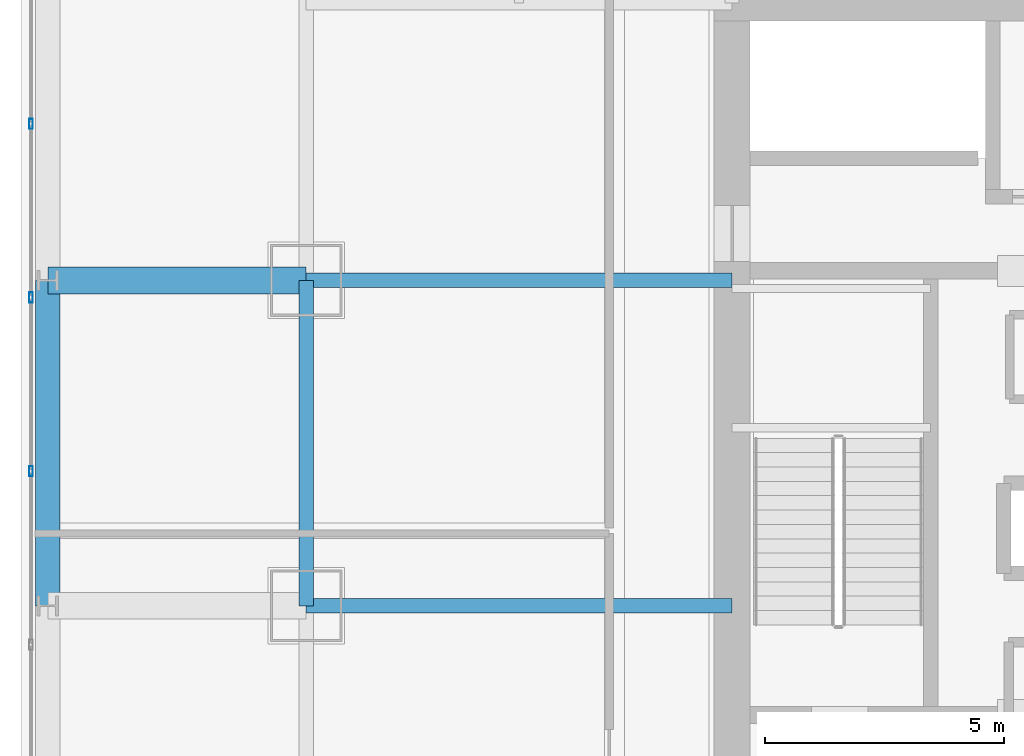
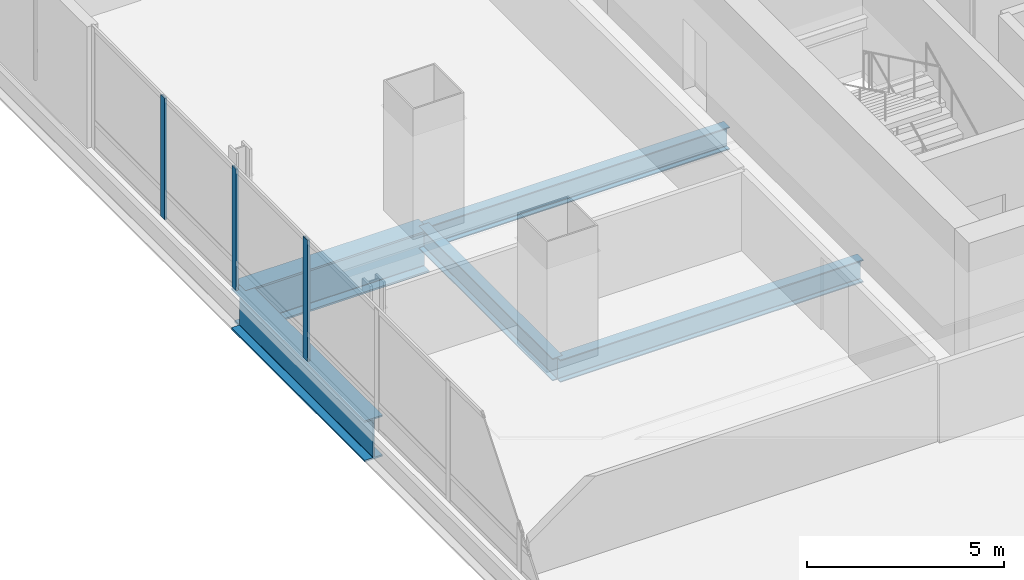
# One storey, part 10 of 45: 5 beams, 3 members, 1 element without a shape of its own.
"""IFC4 building model written with IfcOpenShell, lengths in metres."""

from ifc_helpers import new_model, si_unit, direction, frame, origin, origin_2d, place, context, subcontext, project, spatial, hollow_rectangle, i_section, extrude, material, material_profile, profile_set, type_object, element, aggregate, save


model = new_model("IFC4")

# Units and contexts
model_context = context("Model", 3, precision=1e-05, world=origin(), true_north=direction((0.0, 1.0)))
body_context = subcontext(model_context, "Body", "Model", "MODEL_VIEW")
ifc_project = project(units=[si_unit("LENGTHUNIT", "METRE"), si_unit("AREAUNIT", "SQUARE_METRE"), si_unit("VOLUMEUNIT", "CUBIC_METRE"), si_unit("PLANEANGLEUNIT", "RADIAN"), si_unit("MASSUNIT", "GRAM", prefix="KILO")], contexts=[model_context])

# Site, building, storey
site_placement = place(None, origin())
site = spatial("IfcSite", under=ifc_project, at=site_placement, CompositionType="ELEMENT")
building_placement = place(site_placement, origin())
building = spatial("IfcBuilding", under=site, at=building_placement, Name="Punatoya Terracotta Tower", CompositionType="ELEMENT")
storey_placement = place(building_placement, frame((0.0, 0.0, 56.550048828125)))
storey = spatial("IfcBuildingStorey", under=building, at=storey_placement, Name="L12", CompositionType="ELEMENT", Elevation=56.550048828125)

# Beams
ifc_material_1 = material(Name="Steel S355", Category="steel")
ifc_material_profile_1 = material_profile(ifc_material_1, i_section(OverallWidth=0.300048828125, OverallDepth=0.699951171875, WebThickness=0.01708984375, FlangeThickness=0.031982421875, FilletRadius=0.01806640625, at=origin_2d()))
ifc_profile_set_1 = profile_set([ifc_material_profile_1], Name="Steel S355")
beam_type_1 = type_object("IfcBeamType", Name="BM-PRI-700", PredefinedType="BEAM", material=ifc_profile_set_1)
beam_1_placement = place(storey_placement, frame((-19.10009765625, -3.39990234375, -0.590087890625), z_axis=(0.0, 1.0, 0.0), x_axis=(-1.0, 0.0, 0.0)))
element("IfcBeam", 1, at=beam_1_placement, inside=storey, type_object=beam_type_1, Name="BM-L12-RG-W2", PredefinedType="BEAM", context=body_context, shape_type="SweptSolid", body=[
    extrude(i_section(OverallWidth=0.300048828125, OverallDepth=0.699951171875, WebThickness=0.01708984375, FlangeThickness=0.031982421875, FilletRadius=0.01806640625, at=origin_2d()), origin(), (0.0, 0.0, 1.0), 6.7998046875),
])
for number, where, z_axis, x_axis, name in (
    (2, (-19.10009765625, -3.39990234375, -0.590087890625), (1.0, 0.0, 0.0), (0.0, 1.0, 0.0), "BM-L12-PR-WD"),
    (3, (-19.10009765625, 3.39990234375, -0.590087890625), (1.0, 0.0, 0.0), (0.0, 1.0, 0.0), "BM-L12-PR-WE"),
):
    element("IfcBeam", number, at=place(storey_placement, frame(where, z_axis=z_axis, x_axis=x_axis)), inside=storey, type_object=beam_type_1, Name=name, PredefinedType="BEAM", context=body_context, shape_type="SweptSolid", body=[
        extrude(i_section(OverallWidth=0.300048828125, OverallDepth=0.699951171875, WebThickness=0.01708984375, FlangeThickness=0.031982421875, FilletRadius=0.01806640625, at=origin_2d()), origin(), (0.0, 0.0, 1.0), 8.900146484375),
    ])
ifc_material_2 = material(Name="Steel S460", Category="steel")
ifc_material_profile_2 = material_profile(ifc_material_2, i_section(OverallWidth=0.56005859375, OverallDepth=1.320068359375, WebThickness=0.035888671875, FlangeThickness=0.054931640625, FilletRadius=0.01806640625, at=origin_2d()))
ifc_profile_set_2 = profile_set([ifc_material_profile_2], Name="Steel S460")
beam_type_2 = type_object("IfcBeamType", Name="BM-TG-BLK", PredefinedType="BEAM", material=ifc_profile_set_2)
beam_2_placement = place(storey_placement, frame((-24.5, 3.39990234375, -0.900146484375), z_axis=(1.0, 0.0, 0.0), x_axis=(0.0, 1.0, 0.0)))
element("IfcBeam", 4, at=beam_2_placement, inside=storey, type_object=beam_type_2, Name="BM-L12-CANT-W3", PredefinedType="BEAM", context=body_context, shape_type="SweptSolid", body=[
    extrude(i_section(OverallWidth=0.56005859375, OverallDepth=1.320068359375, WebThickness=0.035888671875, FlangeThickness=0.054931640625, FilletRadius=0.01806640625, at=origin_2d()), origin(), (0.0, 0.0, 1.0), 5.39990234375),
])
ifc_material_profile_3 = material_profile(ifc_material_2, i_section(OverallWidth=0.52001953125, OverallDepth=1.280029296875, WebThickness=0.031982421875, FlangeThickness=0.050048828125, FilletRadius=0.01806640625, at=origin_2d()))
ifc_profile_set_3 = profile_set([ifc_material_profile_3], Name="Steel S460")
beam_type_3 = type_object("IfcBeamType", Name="BM-TG-NCK", PredefinedType="BEAM", material=ifc_profile_set_3)
beam_3_placement = place(storey_placement, frame((-24.5, -3.39990234375, -0.880126953125), z_axis=(0.0, 1.0, 0.0), x_axis=(-1.0, 0.0, 0.0)))
element("IfcBeam", 5, at=beam_3_placement, inside=storey, type_object=beam_type_3, Name="BM-L12-PER-W2", PredefinedType="BEAM", context=body_context, shape_type="SweptSolid", body=[
    extrude(i_section(OverallWidth=0.52001953125, OverallDepth=1.280029296875, WebThickness=0.031982421875, FlangeThickness=0.050048828125, FilletRadius=0.01806640625, at=origin_2d()), origin(), (0.0, 0.0, 1.0), 6.7998046875),
])

# Curtain wall, members
ifc_material_3 = material(Name="Aluminium 6063-T6 + Double Low-E Glass", Category="aluminium")
curtain_wall_type = type_object("IfcCurtainWallType", Name="CW-M1", PredefinedType="NOTDEFINED", material=ifc_material_3)
curtain_wall_placement = place(storey_placement, origin())
curtain_wall = element("IfcCurtainWall", 6, at=curtain_wall_placement, inside=storey, type_object=curtain_wall_type, Name="L12 Curtain Wall CW-L12-W13-1", PredefinedType="NOTDEFINED")
ifc_material_4 = material(Name="Aluminium 6063-T6", Category="aluminium")
ifc_material_profile_4 = material_profile(ifc_material_4, hollow_rectangle(XDim=0.074951171875, YDim=0.2099609375, WallThickness=0.00439453125, at=origin_2d()))
ifc_profile_set_4 = profile_set([ifc_material_profile_4], Name="Aluminium 6063-T6")
member_type = type_object("IfcMemberType", Name="CW-MUL-M1", PredefinedType="MULLION", material=ifc_profile_set_4)
member_1_placement = place(storey_placement, frame((-24.85009765625, 6.67138671875, 0.0), z_axis=(0.0, 0.0, 1.0), x_axis=(1.0, 0.0, 0.0)))
member_1 = element("IfcMember", 7, at=member_1_placement, type_object=member_type, Name="CW-L12-W13-1 Mullion 01", PredefinedType="MULLION", context=body_context, shape_type="SweptSolid", body=[
    extrude(hollow_rectangle(XDim=0.074951171875, YDim=0.2099609375, WallThickness=0.00439453125, at=origin_2d()), origin(), (0.0, 0.0, 1.0), 3.77001953125),
])
member_2_placement = place(storey_placement, frame((-24.85009765625, 3.04296875, 0.0), z_axis=(0.0, 0.0, 1.0), x_axis=(1.0, 0.0, 0.0)))
member_2 = element("IfcMember", 8, at=member_2_placement, type_object=member_type, Name="CW-L12-W13-1 Mullion 02", PredefinedType="MULLION", context=body_context, shape_type="SweptSolid", body=[
    extrude(hollow_rectangle(XDim=0.074951171875, YDim=0.2099609375, WallThickness=0.00439453125, at=origin_2d()), origin(), (0.0, 0.0, 1.0), 3.77001953125),
])
member_3_placement = place(storey_placement, frame((-24.85009765625, -0.585693359375, 0.0), z_axis=(0.0, 0.0, 1.0), x_axis=(1.0, 0.0, 0.0)))
member_3 = element("IfcMember", 9, at=member_3_placement, type_object=member_type, Name="CW-L12-W13-1 Mullion 03", PredefinedType="MULLION", context=body_context, shape_type="SweptSolid", body=[
    extrude(hollow_rectangle(XDim=0.074951171875, YDim=0.2099609375, WallThickness=0.00439453125, at=origin_2d()), origin(), (0.0, 0.0, 1.0), 3.77001953125),
])
aggregate(curtain_wall, [member_1, member_2, member_3])

save(model, "model.ifc")
